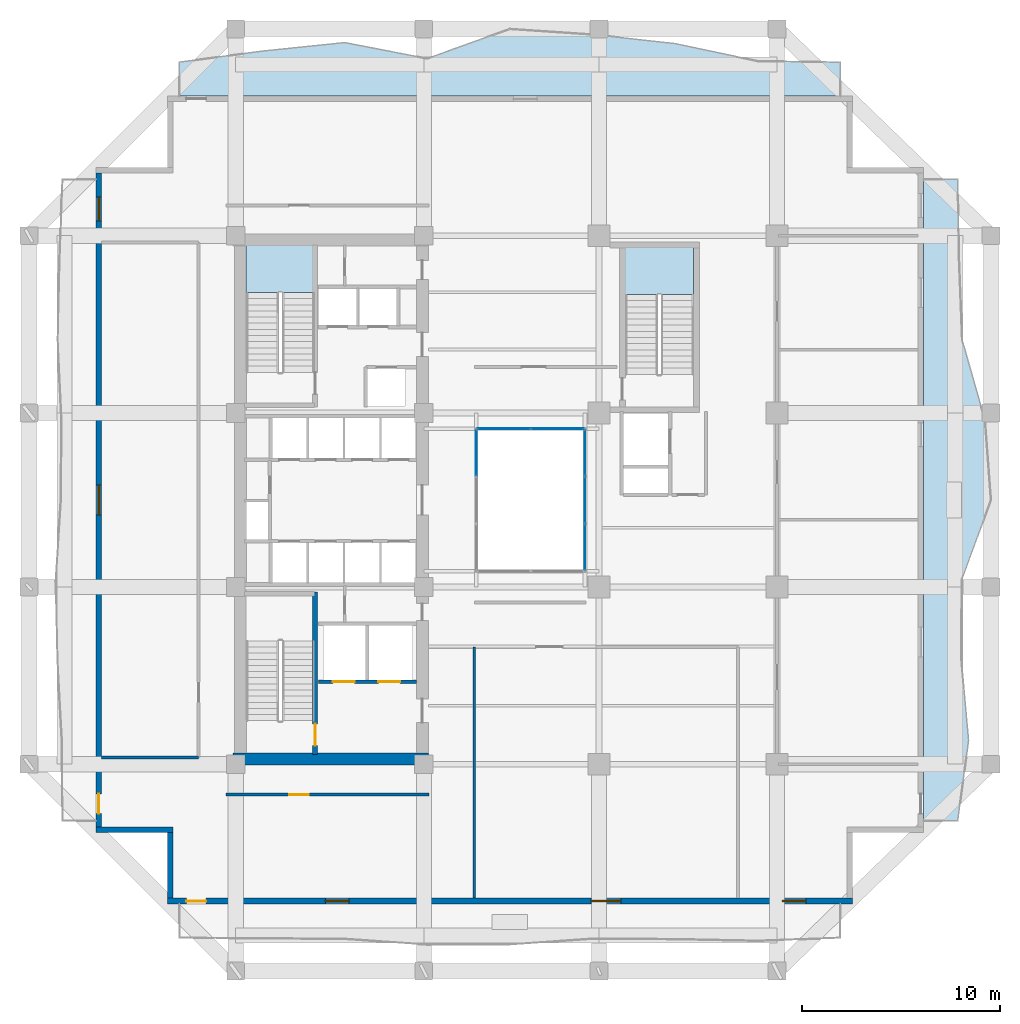
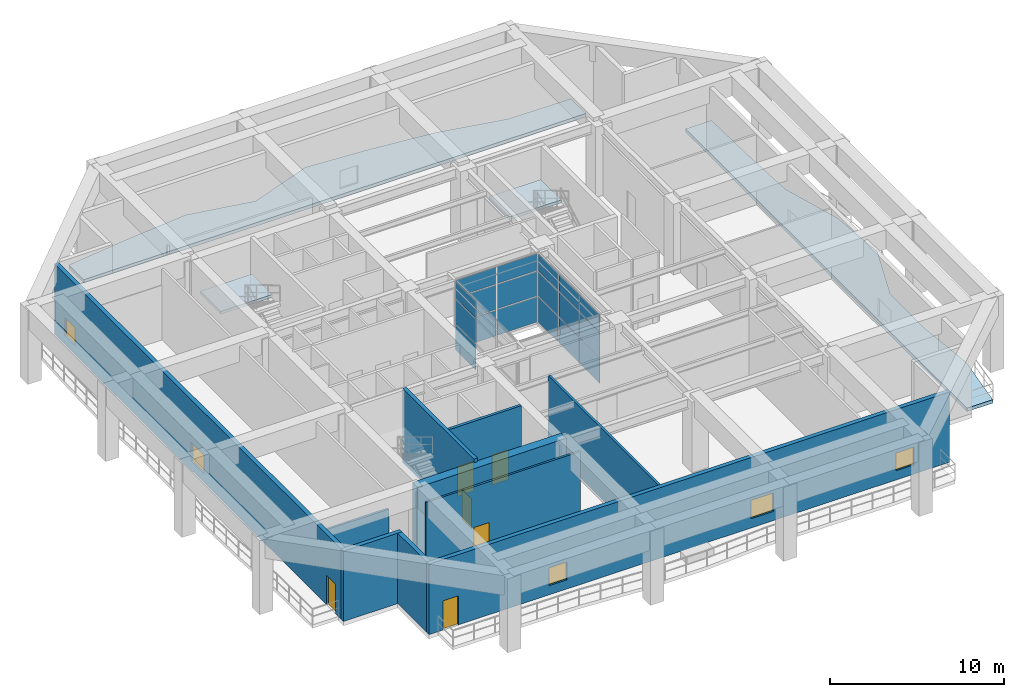
# One storey, part 5 of 13: 18 plates, 10 walls, 6 doors, 5 windows, 4 slabs, 11 openings, 5 elements without a shape of their own.
"""IFC4 building model written with IfcOpenShell, lengths in metres."""

from ifc_helpers import new_model, si_unit, direction, frame, frame_2d, origin, origin_2d, place, context, subcontext, project, spatial, polyline, rectangle, outline, extrude, material, layer, layer_set, type_object, element, fill, aggregate, save


model = new_model("IFC4")

# Units and contexts
model_context = context("Model", 3, precision=1e-05, world=origin(), true_north=direction((0.0, 1.0)))
body_context = subcontext(model_context, "Body", "Model", "MODEL_VIEW")
ifc_project = project(units=[si_unit("LENGTHUNIT", "METRE"), si_unit("AREAUNIT", "SQUARE_METRE"), si_unit("VOLUMEUNIT", "CUBIC_METRE"), si_unit("PLANEANGLEUNIT", "RADIAN"), si_unit("MASSUNIT", "GRAM", prefix="KILO")], contexts=[model_context])

# Site, building, storey
site_placement = place(None, origin())
site = spatial("IfcSite", under=ifc_project, at=site_placement, CompositionType="ELEMENT")
building_placement = place(site_placement, origin())
building = spatial("IfcBuilding", under=site, at=building_placement, Name="Kundavana Baori Tower", CompositionType="ELEMENT")
storey_placement = place(building_placement, frame((0.0, 0.0, 98.800048828125)))
storey = spatial("IfcBuildingStorey", under=building, at=storey_placement, Name="L23", CompositionType="ELEMENT", Elevation=98.800048828125)

# Curtain wall, plates
ifc_material_1 = material(Name="Thermally Broken Anodised Aluminium Framing", Category="aluminium")
ifc_layer_1 = layer(ifc_material_1, 0.205078125, Name="CW-SYS-4")
ifc_layer_set_1 = layer_set([ifc_layer_1], Name="Thermally Broken Anodised Aluminium Framing")
curtain_wall_type = type_object("IfcCurtainWallType", Name="CW-SYS-4", PredefinedType="NOTDEFINED", material=ifc_layer_set_1)
curtain_wall_1_placement = place(storey_placement, origin())
curtain_wall_1 = element("IfcCurtainWall", 1, at=curtain_wall_1_placement, inside=storey, type_object=curtain_wall_type, Name="L23 Atrium Glazed Curtain Wall E", PredefinedType="NOTDEFINED")
ifc_material_2 = material(Name="Double-Glazed Solar-Control Low-E Insulated Glass", Category="glass")
ifc_layer_2 = layer(ifc_material_2, 0.028076171875, Name="CW-PNL-GLS28")
ifc_layer_set_2 = layer_set([ifc_layer_2], Name="Double-Glazed Solar-Control Low-E Insulated Glass")
plate_type = type_object("IfcPlateType", Name="CW-PNL-GLS28", PredefinedType="CURTAIN_PANEL", material=ifc_layer_set_2)
plate_1_placement = place(storey_placement, frame((33.10009765625, 26.21630859375, 0.06494140625), z_axis=(0.0, 0.0, 1.0), x_axis=(0.0, 1.0, 0.0)))
plate_1 = element("IfcPlate", 2, at=plate_1_placement, type_object=plate_type, Name="CW4 panel 1.1", PredefinedType="CURTAIN_PANEL", context=body_context, shape_type="SweptSolid", body=[
    extrude(rectangle(XDim=2.302490234375, YDim=0.028076171875, at=origin_2d()), origin(), (0.0, 0.0, 1.0), 1.783447265625),
])
plate_2_placement = place(storey_placement, frame((33.10009765625, 26.21630859375, 1.91357421875), z_axis=(0.0, 0.0, 1.0), x_axis=(0.0, 1.0, 0.0)))
plate_2 = element("IfcPlate", 3, at=plate_2_placement, type_object=plate_type, Name="CW4 panel 1.2", PredefinedType="CURTAIN_PANEL", context=body_context, shape_type="SweptSolid", body=[
    extrude(rectangle(XDim=2.302490234375, YDim=0.028076171875, at=origin_2d()), origin(), (0.0, 0.0, 1.0), 1.717041015625),
])
plate_3_placement = place(storey_placement, frame((33.10009765625, 26.21630859375, 3.695556640625), z_axis=(0.0, 0.0, 1.0), x_axis=(0.0, 1.0, 0.0)))
plate_3 = element("IfcPlate", 4, at=plate_3_placement, type_object=plate_type, Name="CW4 panel 1.3", PredefinedType="CURTAIN_PANEL", context=body_context, shape_type="SweptSolid", body=[
    extrude(rectangle(XDim=2.302490234375, YDim=0.028076171875, at=origin_2d()), origin(), (0.0, 0.0, 1.0), 1.189453125),
])
plate_4_placement = place(storey_placement, frame((33.10009765625, 28.60009765625, 0.06494140625), z_axis=(0.0, 0.0, 1.0), x_axis=(0.0, 1.0, 0.0)))
plate_4 = element("IfcPlate", 5, at=plate_4_placement, type_object=plate_type, Name="CW4 panel 2.1", PredefinedType="CURTAIN_PANEL", context=body_context, shape_type="SweptSolid", body=[
    extrude(rectangle(XDim=2.3349609375, YDim=0.028076171875, at=origin_2d()), origin(), (0.0, 0.0, 1.0), 1.783447265625),
])
plate_5_placement = place(storey_placement, frame((33.10009765625, 28.60009765625, 1.91357421875), z_axis=(0.0, 0.0, 1.0), x_axis=(0.0, 1.0, 0.0)))
plate_5 = element("IfcPlate", 6, at=plate_5_placement, type_object=plate_type, Name="CW4 panel 2.2", PredefinedType="CURTAIN_PANEL", context=body_context, shape_type="SweptSolid", body=[
    extrude(rectangle(XDim=2.3349609375, YDim=0.028076171875, at=origin_2d()), origin(), (0.0, 0.0, 1.0), 1.717041015625),
])
plate_6_placement = place(storey_placement, frame((33.10009765625, 28.60009765625, 3.695556640625), z_axis=(0.0, 0.0, 1.0), x_axis=(0.0, 1.0, 0.0)))
plate_6 = element("IfcPlate", 7, at=plate_6_placement, type_object=plate_type, Name="CW4 panel 2.3", PredefinedType="CURTAIN_PANEL", context=body_context, shape_type="SweptSolid", body=[
    extrude(rectangle(XDim=2.3349609375, YDim=0.028076171875, at=origin_2d()), origin(), (0.0, 0.0, 1.0), 1.189453125),
])
plate_7_placement = place(storey_placement, frame((33.10009765625, 30.983642578125, 0.06494140625), z_axis=(0.0, 0.0, 1.0), x_axis=(0.0, 1.0, 0.0)))
plate_7 = element("IfcPlate", 8, at=plate_7_placement, type_object=plate_type, Name="CW4 panel 3.1", PredefinedType="CURTAIN_PANEL", context=body_context, shape_type="SweptSolid", body=[
    extrude(rectangle(XDim=2.302490234375, YDim=0.028076171875, at=origin_2d()), origin(), (0.0, 0.0, 1.0), 1.783447265625),
])
plate_8_placement = place(storey_placement, frame((33.10009765625, 30.983642578125, 1.91357421875), z_axis=(0.0, 0.0, 1.0), x_axis=(0.0, 1.0, 0.0)))
plate_8 = element("IfcPlate", 9, at=plate_8_placement, type_object=plate_type, Name="CW4 panel 3.2", PredefinedType="CURTAIN_PANEL", context=body_context, shape_type="SweptSolid", body=[
    extrude(rectangle(XDim=2.302490234375, YDim=0.028076171875, at=origin_2d()), origin(), (0.0, 0.0, 1.0), 1.717041015625),
])
plate_9_placement = place(storey_placement, frame((33.10009765625, 30.983642578125, 3.695556640625), z_axis=(0.0, 0.0, 1.0), x_axis=(0.0, 1.0, 0.0)))
plate_9 = element("IfcPlate", 10, at=plate_9_placement, type_object=plate_type, Name="CW4 panel 3.3", PredefinedType="CURTAIN_PANEL", context=body_context, shape_type="SweptSolid", body=[
    extrude(rectangle(XDim=2.302490234375, YDim=0.028076171875, at=origin_2d()), origin(), (0.0, 0.0, 1.0), 1.189453125),
])
aggregate(curtain_wall_1, [plate_1, plate_2, plate_3, plate_4, plate_5, plate_6, plate_7, plate_8, plate_9])

curtain_wall_2_placement = place(storey_placement, origin())
curtain_wall_2 = element("IfcCurtainWall", 11, at=curtain_wall_2_placement, inside=storey, type_object=curtain_wall_type, Name="L23 Atrium Glazed Curtain Wall N", PredefinedType="NOTDEFINED")
plate_10_placement = place(storey_placement, frame((31.708740234375, 32.199951171875, 0.06494140625), z_axis=(0.0, 0.0, 1.0), x_axis=(-1.0, 0.0, 0.0)))
plate_10 = element("IfcPlate", 12, at=plate_10_placement, type_object=plate_type, Name="CW4 panel 1.1", PredefinedType="CURTAIN_PANEL", context=body_context, shape_type="SweptSolid", body=[
    extrude(rectangle(XDim=2.652587890625, YDim=0.028076171875, at=origin_2d()), origin(), (0.0, 0.0, 1.0), 1.783447265625),
])
plate_11_placement = place(storey_placement, frame((31.708740234375, 32.199951171875, 1.91357421875), z_axis=(0.0, 0.0, 1.0), x_axis=(-1.0, 0.0, 0.0)))
plate_11 = element("IfcPlate", 13, at=plate_11_placement, type_object=plate_type, Name="CW4 panel 1.2", PredefinedType="CURTAIN_PANEL", context=body_context, shape_type="SweptSolid", body=[
    extrude(rectangle(XDim=2.652587890625, YDim=0.028076171875, at=origin_2d()), origin(), (0.0, 0.0, 1.0), 1.717041015625),
])
plate_12_placement = place(storey_placement, frame((31.708740234375, 32.199951171875, 3.695556640625), z_axis=(0.0, 0.0, 1.0), x_axis=(-1.0, 0.0, 0.0)))
plate_12 = element("IfcPlate", 14, at=plate_12_placement, type_object=plate_type, Name="CW4 panel 1.3", PredefinedType="CURTAIN_PANEL", context=body_context, shape_type="SweptSolid", body=[
    extrude(rectangle(XDim=2.652587890625, YDim=0.028076171875, at=origin_2d()), origin(), (0.0, 0.0, 1.0), 1.189453125),
])
plate_13_placement = place(storey_placement, frame((28.9912109375, 32.199951171875, 0.06494140625), z_axis=(0.0, 0.0, 1.0), x_axis=(-1.0, 0.0, 0.0)))
plate_13 = element("IfcPlate", 15, at=plate_13_placement, type_object=plate_type, Name="CW4 panel 2.1", PredefinedType="CURTAIN_PANEL", context=body_context, shape_type="SweptSolid", body=[
    extrude(rectangle(XDim=2.652587890625, YDim=0.028076171875, at=origin_2d()), origin(), (0.0, 0.0, 1.0), 1.783447265625),
])
plate_14_placement = place(storey_placement, frame((28.9912109375, 32.199951171875, 1.91357421875), z_axis=(0.0, 0.0, 1.0), x_axis=(-1.0, 0.0, 0.0)))
plate_14 = element("IfcPlate", 16, at=plate_14_placement, type_object=plate_type, Name="CW4 panel 2.2", PredefinedType="CURTAIN_PANEL", context=body_context, shape_type="SweptSolid", body=[
    extrude(rectangle(XDim=2.652587890625, YDim=0.028076171875, at=origin_2d()), origin(), (0.0, 0.0, 1.0), 1.717041015625),
])
plate_15_placement = place(storey_placement, frame((28.9912109375, 32.199951171875, 3.695556640625), z_axis=(0.0, 0.0, 1.0), x_axis=(-1.0, 0.0, 0.0)))
plate_15 = element("IfcPlate", 17, at=plate_15_placement, type_object=plate_type, Name="CW4 panel 2.3", PredefinedType="CURTAIN_PANEL", context=body_context, shape_type="SweptSolid", body=[
    extrude(rectangle(XDim=2.652587890625, YDim=0.028076171875, at=origin_2d()), origin(), (0.0, 0.0, 1.0), 1.189453125),
])
aggregate(curtain_wall_2, [plate_10, plate_11, plate_12, plate_13, plate_14, plate_15])

curtain_wall_3_placement = place(storey_placement, origin())
curtain_wall_3 = element("IfcCurtainWall", 18, at=curtain_wall_3_placement, inside=storey, type_object=curtain_wall_type, Name="L23 Atrium Glazed Curtain Wall W", PredefinedType="NOTDEFINED")
plate_16_placement = place(storey_placement, frame((27.60009765625, 30.983642578125, 0.06494140625), z_axis=(0.0, 0.0, 1.0), x_axis=(0.0, -1.0, 0.0)))
plate_16 = element("IfcPlate", 19, at=plate_16_placement, type_object=plate_type, Name="CW4 panel 1.1", PredefinedType="CURTAIN_PANEL", context=body_context, shape_type="SweptSolid", body=[
    extrude(rectangle(XDim=2.302490234375, YDim=0.028076171875, at=origin_2d()), origin(), (0.0, 0.0, 1.0), 1.783447265625),
])
plate_17_placement = place(storey_placement, frame((27.60009765625, 30.983642578125, 1.91357421875), z_axis=(0.0, 0.0, 1.0), x_axis=(0.0, -1.0, 0.0)))
plate_17 = element("IfcPlate", 20, at=plate_17_placement, type_object=plate_type, Name="CW4 panel 1.2", PredefinedType="CURTAIN_PANEL", context=body_context, shape_type="SweptSolid", body=[
    extrude(rectangle(XDim=2.302490234375, YDim=0.028076171875, at=origin_2d()), origin(), (0.0, 0.0, 1.0), 1.717041015625),
])
plate_18_placement = place(storey_placement, frame((27.60009765625, 30.983642578125, 3.695556640625), z_axis=(0.0, 0.0, 1.0), x_axis=(0.0, -1.0, 0.0)))
plate_18 = element("IfcPlate", 21, at=plate_18_placement, type_object=plate_type, Name="CW4 panel 1.3", PredefinedType="CURTAIN_PANEL", context=body_context, shape_type="SweptSolid", body=[
    extrude(rectangle(XDim=2.302490234375, YDim=0.028076171875, at=origin_2d()), origin(), (0.0, 0.0, 1.0), 1.189453125),
])
aggregate(curtain_wall_3, [plate_16, plate_17, plate_18])

# Stair, slab
ifc_material_3 = material(Name="Concrete C40/50", Category="concrete")
stair_type = type_object("IfcStairType", Name="STR-DOG-1650", PredefinedType="HALF_TURN_STAIR", material=ifc_material_3)
stair_1_placement = place(storey_placement, origin())
stair_1 = element("IfcStair", 22, at=stair_1_placement, inside=storey, type_object=stair_type, Name="L23 Protected Exit Stair ST2", PredefinedType="HALF_TURN_STAIR")
ifc_material_4 = material(Name="Concrete C40/50", Category="concrete")
ifc_layer_3 = layer(ifc_material_4, 0.199951171875, Name="SLB-LND-200")
ifc_layer_set_3 = layer_set([ifc_layer_3], Name="Concrete C40/50")
slab_type_1 = type_object("IfcSlabType", Name="SLB-LND-200", PredefinedType="LANDING", material=ifc_layer_set_3)
slab_1_placement = place(storey_placement, frame((0.0, 0.0, 2.39990234375)))
slab_1 = element("IfcSlab", 23, at=slab_1_placement, type_object=slab_type_1, Name="ST2 landing 1", PredefinedType="LANDING", context=body_context, shape_type="SweptSolid", body=[
    extrude(outline(polyline([(19.43994140625, 39.080078125), (19.43994140625, 41.449951171875), (15.97998046875, 41.449951171875), (15.97998046875, 39.080078125), (19.43994140625, 39.080078125)])), origin(), (0.0, 0.0, 1.0), 0.199951171875),
])
aggregate(stair_1, [slab_1])

stair_2_placement = place(storey_placement, origin())
stair_2 = element("IfcStair", 24, at=stair_2_placement, inside=storey, type_object=stair_type, Name="L23 Protected Exit Stair ST3", PredefinedType="HALF_TURN_STAIR")
slab_2_placement = place(storey_placement, frame((0.0, 0.0, 2.39990234375)))
slab_2 = element("IfcSlab", 25, at=slab_2_placement, type_object=slab_type_1, Name="ST3 landing 1", PredefinedType="LANDING", context=body_context, shape_type="SweptSolid", body=[
    extrude(outline(polyline([(38.580078125, 38.97998046875), (38.580078125, 41.35009765625), (35.1201171875, 41.35009765625), (35.1201171875, 38.97998046875), (38.580078125, 38.97998046875)])), origin(), (0.0, 0.0, 1.0), 0.199951171875),
])
aggregate(stair_2, [slab_2])

# Slabs
ifc_material_5 = material(Name="Concrete C40/50", Category="concrete")
ifc_layer_4 = layer(ifc_material_5, 0.239990234375, Name="SLB-LOG-240")
ifc_layer_set_4 = layer_set([ifc_layer_4], Name="Concrete C40/50")
slab_type_2 = type_object("IfcSlabType", Name="SLB-LOG-240", PredefinedType="FLOOR", material=ifc_layer_set_4)
slab_3_placement = place(storey_placement, frame((0.0, 0.0, -0.239990234375)))
element("IfcSlab", 26, at=slab_3_placement, inside=storey, type_object=slab_type_2, Name="L23 Planted Loggia Balcony Slab E", PredefinedType="FLOOR", context=body_context, shape_type="SweptSolid", body=[
    extrude(outline(polyline([(50.199951171875, 12.39990234375), (50.199951171875, 44.800048828125), (51.919921875, 44.800048828125), (51.986083984375, 40.75), (52.14501953125, 36.699951171875), (53.294921875, 32.64990234375), (53.60009765625, 28.60009765625), (52.116943359375, 24.550048828125), (52.110107421875, 20.5), (52.472900390625, 16.449951171875), (51.919921875, 12.39990234375), (50.199951171875, 12.39990234375)])), origin(), (0.0, 0.0, 1.0), 0.239990234375),
])
slab_4_placement = place(storey_placement, frame((0.0, 0.0, -0.239990234375)))
element("IfcSlab", 27, at=slab_4_placement, inside=storey, type_object=slab_type_2, Name="L23 Planted Loggia Balcony Slab N", PredefinedType="FLOOR", context=body_context, shape_type="SweptSolid", body=[
    extrude(outline(polyline([(46.0, 49.0), (12.60009765625, 49.0), (12.60009765625, 50.719970703125), (16.77490234375, 51.27490234375), (20.949951171875, 51.708984375), (25.125, 50.902099609375), (29.300048828125, 52.39990234375), (33.47509765625, 52.117919921875), (37.64990234375, 51.656005859375), (41.824951171875, 50.77294921875), (46.0, 50.719970703125), (46.0, 49.0)])), origin(), (0.0, 0.0, 1.0), 0.239990234375),
])

# Wall, opening, door
ifc_material_6 = material(Name="Concrete C50/60", Category="concrete")
ifc_layer_5 = layer(ifc_material_6, 0.39990234375, Name="WL-CORE-400")
ifc_layer_set_5 = layer_set([ifc_layer_5], Name="Concrete C50/60")
wall_type_1 = type_object("IfcWallType", Name="WL-CORE-400", PredefinedType="SHEAR", material=ifc_layer_set_5)
wall_1_placement = place(storey_placement, frame((19.4599609375, 15.739990234375, 0.0), z_axis=(0.0, 0.0, 1.0), x_axis=(0.0, 1.0, 0.0)))
wall_1 = element("IfcWall", 28, at=wall_1_placement, inside=storey, type_object=wall_type_1, Name="WL-L23-ST1-E", PredefinedType="SHEAR", context=body_context, shape_type="SweptSolid", body=[
    extrude(rectangle(XDim=8.199951171875, YDim=0.239990234375, at=frame_2d((4.10009765625, 0.0))), origin(), (0.0, 0.0, 1.0), 5.199951171875),
])
opening_1_placement = place(wall_1_placement, frame((0.449951171875, 0.0, 0.0)))
opening_1 = element("IfcOpeningElement", 29, at=opening_1_placement, cuts=wall_1, Name="Opening FD-110", PredefinedType="OPENING", context=body_context, shape_type="SweptSolid", body=[
    extrude(rectangle(XDim=1.10009765625, YDim=2.10009765625, at=frame_2d((0.550048828125, 1.050048828125))), frame((0.0, 0.1298828125, 0.0), z_axis=(0.0, -1.0, 0.0), x_axis=(1.0, 0.0, 0.0)), (0.0, 0.0, 1.0), 0.260009765625),
])
ifc_material_7 = material(Name="Galvanised Steel Fire-Rated Door Leaf", Category="steel")
door_type_1 = type_object("IfcDoorType", Name="DR-FD120-1100", OperationType="NOTDEFINED", PredefinedType="DOOR", material=ifc_material_7)
door_1_placement = place(opening_1_placement, origin())
door_1 = element("IfcDoor", 30, at=door_1_placement, inside=storey, type_object=door_type_1, Name="DR-L23-ST1", OperationType="SINGLE_SWING_LEFT", OverallHeight=2.10009765625, OverallWidth=1.10009765625, PredefinedType="DOOR", context=body_context, shape_type="SweptSolid", body=[
    extrude(rectangle(XDim=1.10009765625, YDim=2.10009765625, at=frame_2d((0.550048828125, 1.050048828125))), frame((0.0, 0.02490234375, 0.0), z_axis=(0.0, -1.0, 0.0), x_axis=(1.0, 0.0, 0.0)), (0.0, 0.0, 1.0), 0.050048828125),
])
fill(opening_1, door_1)

# Wall
ifc_material_8 = material(Name="Concrete C60/75", Category="concrete")
ifc_layer_6 = layer(ifc_material_8, 0.60009765625, Name="WL-CORE-600")
ifc_layer_set_6 = layer_set([ifc_layer_6], Name="Concrete C60/75")
wall_type_2 = type_object("IfcWallType", Name="WL-CORE-600", PredefinedType="SHEAR", material=ifc_layer_set_6)
wall_2_placement = place(storey_placement, frame((15.300048828125, 15.510009765625, 0.0), z_axis=(0.0, 0.0, 1.0), x_axis=(1.0, 0.0, 0.0)))
element("IfcWall", 31, at=wall_2_placement, inside=storey, type_object=wall_type_2, Name="L23 Offset Core South Shear Wall", PredefinedType="SHEAR", context=body_context, shape_type="SweptSolid", body=[
    extrude(rectangle(XDim=9.8798828125, YDim=0.60009765625, at=frame_2d((4.93994140625, 0.0))), origin(), (0.0, 0.0, 1.0), 4.949951171875),
])

# Wall, openings, door, windows
ifc_material_9 = material(Name="Red-Buff Dholpur Sandstone Cladding on Concrete C40/50", Category="masonry")
ifc_layer_7 = layer(ifc_material_9, 0.280029296875, Name="WL-EXT-SAND-280")
ifc_layer_set_7 = layer_set([ifc_layer_7], Name="Red-Buff Dholpur Sandstone Cladding on Concrete C40/50")
wall_type_3 = type_object("IfcWallType", Name="WL-EXT-SAND-280", PredefinedType="STANDARD", material=ifc_layer_set_7)
wall_3_placement = place(storey_placement, frame((12.0, 8.340087890625, 0.0), z_axis=(0.0, 0.0, 1.0), x_axis=(1.0, 0.0, 0.0)))
wall_3 = element("IfcWall", 32, at=wall_3_placement, inside=storey, type_object=wall_type_3, Name="L23 Exterior Insulated Facade Wall 01", PredefinedType="STANDARD", context=body_context, shape_type="SweptSolid", body=[
    extrude(rectangle(XDim=34.60009765625, YDim=0.280029296875, at=frame_2d((17.300048828125, 0.0))), origin(), (0.0, 0.0, 1.0), 4.949951171875),
])
opening_2_placement = place(wall_3_placement, frame((0.949951171875, 0.0, 0.0)))
opening_2 = element("IfcOpeningElement", 33, at=opening_2_placement, cuts=wall_3, Name="Opening BD-1", PredefinedType="OPENING", context=body_context, shape_type="SweptSolid", body=[
    extrude(rectangle(XDim=1.0, YDim=2.050048828125, at=frame_2d((0.5, 1.02490234375))), frame((0.0, 0.14990234375, 0.0), z_axis=(0.0, -1.0, 0.0), x_axis=(1.0, 0.0, 0.0)), (0.0, 0.0, 1.0), 0.300048828125),
])
opening_3_placement = place(wall_3_placement, frame((7.97998046875, 0.0, 0.64990234375)))
opening_3 = element("IfcOpeningElement", 34, at=opening_3_placement, cuts=wall_3, Name="Opening W-12", PredefinedType="OPENING", context=body_context, shape_type="SweptSolid", body=[
    extrude(rectangle(XDim=1.199951171875, YDim=1.25, at=frame_2d((0.60009765625, 0.625))), frame((0.0, 0.14990234375, 0.0), z_axis=(0.0, -1.0, 0.0), x_axis=(1.0, 0.0, 0.0)), (0.0, 0.0, 1.0), 0.300048828125),
])
opening_4_placement = place(wall_3_placement, frame((21.409912109375, 0.0, 0.64990234375)))
opening_4 = element("IfcOpeningElement", 35, at=opening_4_placement, cuts=wall_3, Name="Opening W-11", PredefinedType="OPENING", context=body_context, shape_type="SweptSolid", body=[
    extrude(rectangle(XDim=1.5, YDim=1.300048828125, at=frame_2d((0.75, 0.64990234375))), frame((0.0, 0.14990234375, 0.0), z_axis=(0.0, -1.0, 0.0), x_axis=(1.0, 0.0, 0.0)), (0.0, 0.0, 1.0), 0.300048828125),
])
opening_5_placement = place(wall_3_placement, frame((31.054931640625, 0.0, 0.64990234375)))
opening_5 = element("IfcOpeningElement", 36, at=opening_5_placement, cuts=wall_3, Name="Opening W-12", PredefinedType="OPENING", context=body_context, shape_type="SweptSolid", body=[
    extrude(rectangle(XDim=1.199951171875, YDim=1.25, at=frame_2d((0.60009765625, 0.625))), frame((0.0, 0.14990234375, 0.0), z_axis=(0.0, -1.0, 0.0), x_axis=(1.0, 0.0, 0.0)), (0.0, 0.0, 1.0), 0.300048828125),
])
ifc_material_10 = material(Name="Architectural Patinated Bronze Metalwork")
door_type_2 = type_object("IfcDoorType", Name="DR-EXT-LOG-1000", OperationType="NOTDEFINED", PredefinedType="DOOR", material=ifc_material_10)
door_2_placement = place(opening_2_placement, frame((1.0, 0.0, 0.0), z_axis=(0.0, 0.0, 1.0), x_axis=(-1.0, 0.0, 0.0)))
door_2 = element("IfcDoor", 37, at=door_2_placement, inside=storey, type_object=door_type_2, Name="L23 Loggia Balcony Access Door S", OperationType="SINGLE_SWING_LEFT", OverallHeight=2.050048828125, OverallWidth=1.0, PredefinedType="DOOR", context=body_context, shape_type="SweptSolid", body=[
    extrude(rectangle(XDim=1.0, YDim=2.050048828125, at=frame_2d((0.5, 1.02490234375))), frame((0.0, 0.02490234375, 0.0), z_axis=(0.0, -1.0, 0.0), x_axis=(1.0, 0.0, 0.0)), (0.0, 0.0, 1.0), 0.050048828125),
])
fill(opening_2, door_2)
ifc_material_11 = material(Name="Double-Glazed Solar-Control Low-E Insulated Glass", Category="glass")
window_type_1 = type_object("IfcWindowType", Name="WIN-TRN-1200x1250", PartitioningType="SINGLE_PANEL", PredefinedType="WINDOW", material=ifc_material_11)
window_1_placement = place(opening_3_placement, origin())
window_1 = element("IfcWindow", 38, at=window_1_placement, inside=storey, type_object=window_type_1, Name="L23 Recessed Loggia Window S-1", OverallHeight=1.25, OverallWidth=1.199951171875, PartitioningType="SINGLE_PANEL", PredefinedType="WINDOW", context=body_context, shape_type="SweptSolid", body=[
    extrude(rectangle(XDim=1.199951171875, YDim=1.25, at=frame_2d((0.60009765625, 0.625))), frame((0.0, 0.030029296875, 0.0), z_axis=(0.0, -1.0, 0.0), x_axis=(1.0, 0.0, 0.0)), (0.0, 0.0, 1.0), 0.06005859375),
])
fill(opening_3, window_1)
window_2_placement = place(opening_5_placement, origin())
window_2 = element("IfcWindow", 39, at=window_2_placement, inside=storey, type_object=window_type_1, Name="L23 Recessed Loggia Window S-3", OverallHeight=1.25, OverallWidth=1.199951171875, PartitioningType="SINGLE_PANEL", PredefinedType="WINDOW", context=body_context, shape_type="SweptSolid", body=[
    extrude(rectangle(XDim=1.199951171875, YDim=1.25, at=frame_2d((0.60009765625, 0.625))), frame((0.0, 0.030029296875, 0.0), z_axis=(0.0, -1.0, 0.0), x_axis=(1.0, 0.0, 0.0)), (0.0, 0.0, 1.0), 0.06005859375),
])
fill(opening_5, window_2)
ifc_material_12 = material(Name="Double-Glazed Solar-Control Low-E Insulated Glass", Category="glass")
window_type_2 = type_object("IfcWindowType", Name="WIN-TRN-1500x1300", PartitioningType="SINGLE_PANEL", PredefinedType="WINDOW", material=ifc_material_12)
window_3_placement = place(opening_4_placement, origin())
window_3 = element("IfcWindow", 40, at=window_3_placement, inside=storey, type_object=window_type_2, Name="L23 Recessed Loggia Window S-2", OverallHeight=1.300048828125, OverallWidth=1.5, PartitioningType="SINGLE_PANEL", PredefinedType="WINDOW", context=body_context, shape_type="SweptSolid", body=[
    extrude(rectangle(XDim=1.5, YDim=1.300048828125, at=frame_2d((0.75, 0.64990234375))), frame((0.0, 0.030029296875, 0.0), z_axis=(0.0, -1.0, 0.0), x_axis=(1.0, 0.0, 0.0)), (0.0, 0.0, 1.0), 0.06005859375),
])
fill(opening_4, window_3)

wall_4_placement = place(storey_placement, frame((8.5400390625, 45.1201171875, 0.0), z_axis=(0.0, 0.0, 1.0), x_axis=(0.0, -1.0, 0.0)))
wall_4 = element("IfcWall", 41, at=wall_4_placement, inside=storey, type_object=wall_type_3, Name="L23 Exterior Insulated Facade Wall 10", PredefinedType="STANDARD", context=body_context, shape_type="SweptSolid", body=[
    extrude(rectangle(XDim=33.0400390625, YDim=0.280029296875, at=frame_2d((16.52001953125, 0.0))), origin(), (0.0, 0.0, 1.0), 4.949951171875),
])
opening_6_placement = place(wall_4_placement, frame((31.3701171875, 0.0, 0.0)))
opening_6 = element("IfcOpeningElement", 42, at=opening_6_placement, cuts=wall_4, Name="Opening BD-1", PredefinedType="OPENING", context=body_context, shape_type="SweptSolid", body=[
    extrude(rectangle(XDim=1.0, YDim=2.050048828125, at=frame_2d((0.5, 1.02490234375))), frame((0.0, 0.14990234375, 0.0), z_axis=(0.0, -1.0, 0.0), x_axis=(1.0, 0.0, 0.0)), (0.0, 0.0, 1.0), 0.300048828125),
])
opening_7_placement = place(wall_4_placement, frame((15.77001953125, 0.0, 0.64990234375)))
opening_7 = element("IfcOpeningElement", 43, at=opening_7_placement, cuts=wall_4, Name="Opening W-11", PredefinedType="OPENING", context=body_context, shape_type="SweptSolid", body=[
    extrude(rectangle(XDim=1.5, YDim=1.300048828125, at=frame_2d((0.75, 0.64990234375))), frame((0.0, 0.14990234375, 0.0), z_axis=(0.0, -1.0, 0.0), x_axis=(1.0, 0.0, 0.0)), (0.0, 0.0, 1.0), 0.300048828125),
])
opening_8_placement = place(wall_4_placement, frame((1.215087890625, 0.0, 0.64990234375)))
opening_8 = element("IfcOpeningElement", 44, at=opening_8_placement, cuts=wall_4, Name="Opening W-12", PredefinedType="OPENING", context=body_context, shape_type="SweptSolid", body=[
    extrude(rectangle(XDim=1.199951171875, YDim=1.25, at=frame_2d((0.60009765625, 0.625))), frame((0.0, 0.14990234375, 0.0), z_axis=(0.0, -1.0, 0.0), x_axis=(1.0, 0.0, 0.0)), (0.0, 0.0, 1.0), 0.300048828125),
])
door_3_placement = place(opening_6_placement, frame((1.0, 0.0, 0.0), z_axis=(0.0, 0.0, 1.0), x_axis=(-1.0, 0.0, 0.0)))
door_3 = element("IfcDoor", 45, at=door_3_placement, inside=storey, type_object=door_type_2, Name="L23 Loggia Balcony Access Door W", OperationType="SINGLE_SWING_RIGHT", OverallHeight=2.050048828125, OverallWidth=1.0, PredefinedType="DOOR", context=body_context, shape_type="SweptSolid", body=[
    extrude(rectangle(XDim=1.0, YDim=2.050048828125, at=frame_2d((0.5, 1.02490234375))), frame((0.0, 0.02490234375, 0.0), z_axis=(0.0, -1.0, 0.0), x_axis=(1.0, 0.0, 0.0)), (0.0, 0.0, 1.0), 0.050048828125),
])
fill(opening_6, door_3)
window_4_placement = place(opening_8_placement, origin())
window_4 = element("IfcWindow", 46, at=window_4_placement, inside=storey, type_object=window_type_1, Name="L23 Recessed Loggia Window W-3", OverallHeight=1.25, OverallWidth=1.199951171875, PartitioningType="SINGLE_PANEL", PredefinedType="WINDOW", context=body_context, shape_type="SweptSolid", body=[
    extrude(rectangle(XDim=1.199951171875, YDim=1.25, at=frame_2d((0.60009765625, 0.625))), frame((0.0, 0.030029296875, 0.0), z_axis=(0.0, -1.0, 0.0), x_axis=(1.0, 0.0, 0.0)), (0.0, 0.0, 1.0), 0.06005859375),
])
fill(opening_8, window_4)
window_5_placement = place(opening_7_placement, origin())
window_5 = element("IfcWindow", 47, at=window_5_placement, inside=storey, type_object=window_type_2, Name="L23 Recessed Loggia Window W-2", OverallHeight=1.300048828125, OverallWidth=1.5, PartitioningType="SINGLE_PANEL", PredefinedType="WINDOW", context=body_context, shape_type="SweptSolid", body=[
    extrude(rectangle(XDim=1.5, YDim=1.300048828125, at=frame_2d((0.75, 0.64990234375))), frame((0.0, 0.030029296875, 0.0), z_axis=(0.0, -1.0, 0.0), x_axis=(1.0, 0.0, 0.0)), (0.0, 0.0, 1.0), 0.06005859375),
])
fill(opening_7, window_5)

# Walls
wall_5_placement = place(storey_placement, frame((8.39990234375, 11.93994140625, 0.0), z_axis=(0.0, 0.0, 1.0), x_axis=(1.0, 0.0, 0.0)))
element("IfcWall", 48, at=wall_5_placement, inside=storey, type_object=wall_type_3, Name="L23 Exterior Insulated Facade Wall 11", PredefinedType="STANDARD", context=body_context, shape_type="SweptSolid", body=[
    extrude(rectangle(XDim=3.880126953125, YDim=0.280029296875, at=frame_2d((1.93994140625, 0.0))), origin(), (0.0, 0.0, 1.0), 4.949951171875),
])
wall_6_placement = place(storey_placement, frame((12.139892578125, 11.800048828125, 0.0), z_axis=(0.0, 0.0, 1.0), x_axis=(0.0, -1.0, 0.0)))
element("IfcWall", 49, at=wall_6_placement, inside=storey, type_object=wall_type_3, Name="L23 Exterior Insulated Facade Wall 12", PredefinedType="STANDARD", context=body_context, shape_type="SweptSolid", body=[
    extrude(rectangle(XDim=3.320068359375, YDim=0.280029296875, at=frame_2d((1.66015625, 0.0))), origin(), (0.0, 0.0, 1.0), 4.949951171875),
])

# Wall, opening, door
ifc_material_13 = material(Name="Acoustic Gypsum Plasterboard on Galvanised Steel Studs", Category="steel")
ifc_layer_8 = layer(ifc_material_13, 0.135009765625, Name="WL-PART-135")
ifc_layer_set_8 = layer_set([ifc_layer_8], Name="Acoustic Gypsum Plasterboard on Galvanised Steel Studs")
wall_type_4 = type_object("IfcWallType", Name="WL-PART-135", PredefinedType="PARTITIONING", material=ifc_layer_set_8)
wall_7_placement = place(storey_placement, frame((14.949951171875, 13.719970703125, 0.0), z_axis=(0.0, 0.0, 1.0), x_axis=(1.0, 0.0, 0.0)))
wall_7 = element("IfcWall", 50, at=wall_7_placement, inside=storey, type_object=wall_type_4, Name="WL-L23-SC", PredefinedType="PARTITIONING", context=body_context, shape_type="SweptSolid", body=[
    extrude(rectangle(XDim=10.27001953125, YDim=0.135009765625, at=frame_2d((5.135009765625, 0.0))), origin(), (0.0, 0.0, 1.0), 4.949951171875),
])
opening_9_placement = place(wall_7_placement, frame((3.199951171875, 0.0, 0.0)))
opening_9 = element("IfcOpeningElement", 51, at=opening_9_placement, cuts=wall_7, Name="Opening ID-100", PredefinedType="OPENING", context=body_context, shape_type="SweptSolid", body=[
    extrude(rectangle(XDim=1.0, YDim=2.080078125, at=frame_2d((0.5, 1.0400390625))), frame((0.0, 0.07763671875, 0.0), z_axis=(0.0, -1.0, 0.0), x_axis=(1.0, 0.0, 0.0)), (0.0, 0.0, 1.0), 0.155029296875),
])
ifc_material_14 = material(Name="Engineered Teak Solid-Core Timber Veneer", Category="wood")
door_type_3 = type_object("IfcDoorType", Name="DR-INT-1000", OperationType="NOTDEFINED", PredefinedType="DOOR", material=ifc_material_14)
door_4_placement = place(opening_9_placement, frame((1.0, 0.0, 0.0), z_axis=(0.0, 0.0, 1.0), x_axis=(-1.0, 0.0, 0.0)))
door_4 = element("IfcDoor", 52, at=door_4_placement, inside=storey, type_object=door_type_3, Name="DR-L23-OBSW", OperationType="SINGLE_SWING_LEFT", OverallHeight=2.080078125, OverallWidth=1.0, PredefinedType="DOOR", context=body_context, shape_type="SweptSolid", body=[
    extrude(rectangle(XDim=1.0, YDim=2.080078125, at=frame_2d((0.5, 1.0400390625))), frame((0.0, 0.02490234375, 0.0), z_axis=(0.0, -1.0, 0.0), x_axis=(1.0, 0.0, 0.0)), (0.0, 0.0, 1.0), 0.050048828125),
])
fill(opening_9, door_4)

# Walls
ifc_material_15 = material(Name="Fire-Rated Gypsum Drywall on Galvanised Steel Studs", Category="steel")
ifc_layer_9 = layer(ifc_material_15, 0.14990234375, Name="WL-PART-150")
ifc_layer_set_9 = layer_set([ifc_layer_9], Name="Fire-Rated Gypsum Drywall on Galvanised Steel Studs")
wall_type_5 = type_object("IfcWallType", Name="WL-PART-150", PredefinedType="PARTITIONING", material=ifc_layer_set_9)
wall_8_placement = place(storey_placement, frame((8.679931640625, 15.60009765625, 0.0), z_axis=(0.0, 0.0, 1.0), x_axis=(1.0, 0.0, 0.0)))
element("IfcWall", 53, at=wall_8_placement, inside=storey, type_object=wall_type_5, Name="WL-L23-SLWS", PredefinedType="PARTITIONING", context=body_context, shape_type="SweptSolid", body=[
    extrude(rectangle(XDim=4.89013671875, YDim=0.14990234375, at=frame_2d((2.445068359375, 0.0))), origin(), (0.0, 0.0, 1.0), 3.83984375),
])
wall_9_placement = place(storey_placement, frame((27.5, 8.47998046875, 0.0), z_axis=(0.0, 0.0, 1.0), x_axis=(0.0, 1.0, 0.0)))
element("IfcWall", 54, at=wall_9_placement, inside=storey, type_object=wall_type_5, Name="WL-L23-SLSW", PredefinedType="PARTITIONING", context=body_context, shape_type="SweptSolid", body=[
    extrude(rectangle(XDim=12.699951171875, YDim=0.14990234375, at=frame_2d((6.35009765625, 0.0))), origin(), (0.0, 0.0, 1.0), 4.949951171875),
])

# Wall, openings, doors
ifc_material_16 = material(Name="Autoclaved Aerated Concrete Blockwork Masonry", Category="masonry")
ifc_layer_10 = layer(ifc_material_16, 0.179931640625, Name="WL-SHAFT-180")
ifc_layer_set_10 = layer_set([ifc_layer_10], Name="Autoclaved Aerated Concrete Blockwork Masonry")
wall_type_6 = type_object("IfcWallType", Name="WL-SHAFT-180", PredefinedType="SOLIDWALL", material=ifc_layer_set_10)
wall_10_placement = place(storey_placement, frame((19.639892578125, 19.419921875, 0.0), z_axis=(0.0, 0.0, 1.0), x_axis=(1.0, 0.0, 0.0)))
wall_10 = element("IfcWall", 55, at=wall_10_placement, inside=storey, type_object=wall_type_6, Name="WL-L23-FFL-S", PredefinedType="SOLIDWALL", context=body_context, shape_type="SweptSolid", body=[
    extrude(rectangle(XDim=4.940185546875, YDim=0.179931640625, at=frame_2d((2.47021484375, 0.0))), origin(), (0.0, 0.0, 1.0), 4.949951171875),
])
opening_10_placement = place(wall_10_placement, frame((0.719970703125, 0.0, 0.0)))
opening_10 = element("IfcOpeningElement", 56, at=opening_10_placement, cuts=wall_10, Name="Opening LD-110", PredefinedType="OPENING", context=body_context, shape_type="SweptSolid", body=[
    extrude(rectangle(XDim=1.10009765625, YDim=2.10009765625, at=frame_2d((0.550048828125, 1.050048828125))), frame((0.0, 0.10009765625, 0.0), z_axis=(0.0, -1.0, 0.0), x_axis=(1.0, 0.0, 0.0)), (0.0, 0.0, 1.0), 0.199951171875),
])
opening_11_placement = place(wall_10_placement, frame((3.02001953125, 0.0, 0.0)))
opening_11 = element("IfcOpeningElement", 57, at=opening_11_placement, cuts=wall_10, Name="Opening LD-110", PredefinedType="OPENING", context=body_context, shape_type="SweptSolid", body=[
    extrude(rectangle(XDim=1.10009765625, YDim=2.10009765625, at=frame_2d((0.550048828125, 1.050048828125))), frame((0.0, 0.10009765625, 0.0), z_axis=(0.0, -1.0, 0.0), x_axis=(1.0, 0.0, 0.0)), (0.0, 0.0, 1.0), 0.199951171875),
])
ifc_material_17 = material(Name="Galvanised Steel Fire-Rated Door Leaf", Category="steel")
door_type_4 = type_object("IfcDoorType", Name="DR-SLIDE-LD1100", OperationType="NOTDEFINED", PredefinedType="DOOR", material=ifc_material_17)
door_5_placement = place(opening_10_placement, origin())
door_5 = element("IfcDoor", 58, at=door_5_placement, inside=storey, type_object=door_type_4, Name="DR-L23-LD-FFL-1", OperationType="DOUBLE_DOOR_SLIDING", OverallHeight=2.10009765625, OverallWidth=1.10009765625, PredefinedType="DOOR", context=body_context, shape_type="SweptSolid", body=[
    extrude(rectangle(XDim=1.10009765625, YDim=2.10009765625, at=frame_2d((0.550048828125, 1.050048828125))), frame((0.0, 0.02490234375, 0.0), z_axis=(0.0, -1.0, 0.0), x_axis=(1.0, 0.0, 0.0)), (0.0, 0.0, 1.0), 0.050048828125),
])
fill(opening_10, door_5)
door_6_placement = place(opening_11_placement, origin())
door_6 = element("IfcDoor", 59, at=door_6_placement, inside=storey, type_object=door_type_4, Name="DR-L23-LD-FFL-2", OperationType="DOUBLE_DOOR_SLIDING", OverallHeight=2.10009765625, OverallWidth=1.10009765625, PredefinedType="DOOR", context=body_context, shape_type="SweptSolid", body=[
    extrude(rectangle(XDim=1.10009765625, YDim=2.10009765625, at=frame_2d((0.550048828125, 1.050048828125))), frame((0.0, 0.02490234375, 0.0), z_axis=(0.0, -1.0, 0.0), x_axis=(1.0, 0.0, 0.0)), (0.0, 0.0, 1.0), 0.050048828125),
])
fill(opening_11, door_6)

save(model, "model.ifc")
